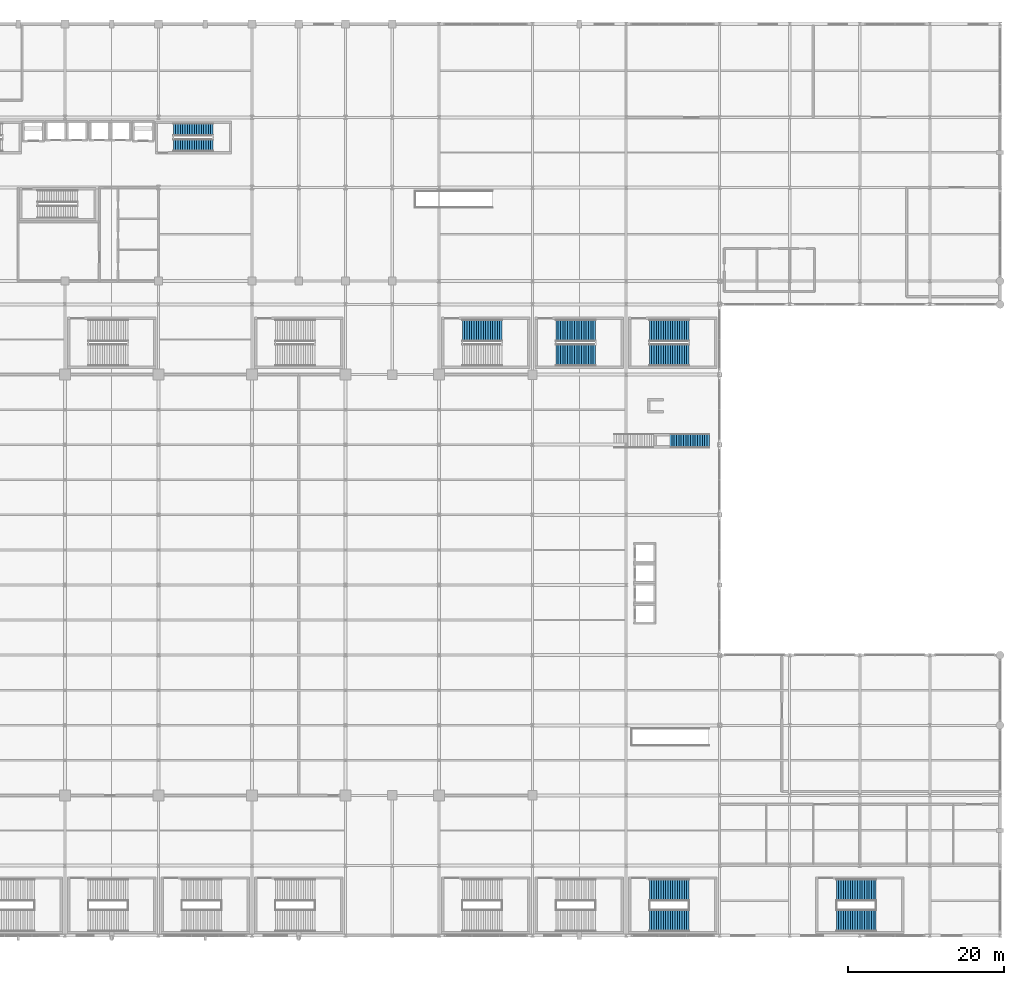
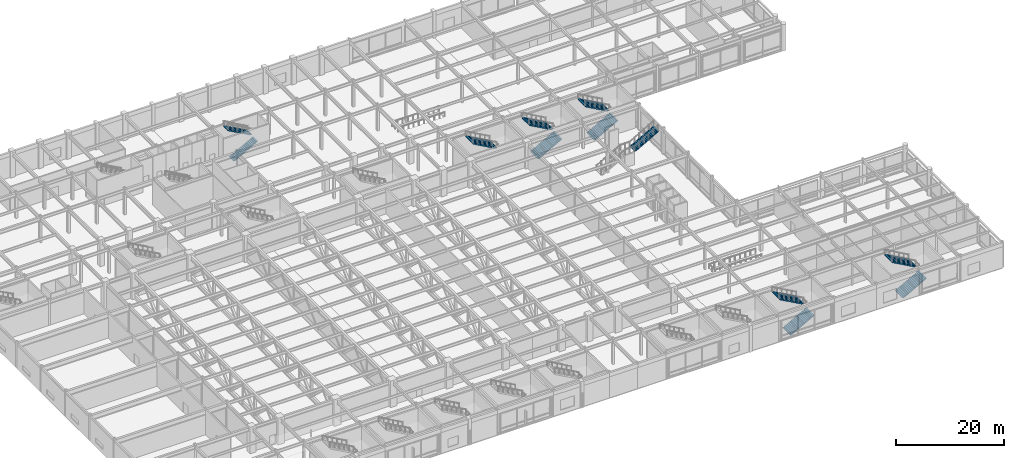
# One storey, part 99 of 108: 12 stair flights, 7 elements without a shape of their own.
"""IFC4 building model written with IfcOpenShell, lengths in metres."""

from ifc_helpers import new_model, si_unit, direction, frame, origin, place, context, subcontext, project, spatial, polyline, outline, extrude, material, type_object, element, aggregate, save


model = new_model("IFC4")

# Units and contexts
model_context = context("Model", 3, precision=1e-05, world=origin(), true_north=direction((0.0, 1.0)))
body_context = subcontext(model_context, "Body", "Model", "MODEL_VIEW")
ifc_project = project(units=[si_unit("LENGTHUNIT", "METRE"), si_unit("AREAUNIT", "SQUARE_METRE"), si_unit("VOLUMEUNIT", "CUBIC_METRE"), si_unit("PLANEANGLEUNIT", "RADIAN"), si_unit("MASSUNIT", "GRAM", prefix="KILO")], contexts=[model_context])

# Site, building, storey
site_placement = place(None, origin())
site = spatial("IfcSite", under=ifc_project, at=site_placement, CompositionType="ELEMENT")
building_placement = place(site_placement, origin())
building = spatial("IfcBuilding", under=site, at=building_placement, Name="Kaldorvane Square Convention Centre", CompositionType="ELEMENT")
storey_placement = place(building_placement, frame((0.0, 0.0, 12.0)))
storey = spatial("IfcBuildingStorey", under=building, at=storey_placement, Name="L02", CompositionType="ELEMENT", Elevation=12.0)

# Stair, stair flight
ifc_material_1 = material(Name="Steel ASTM A500 Gr. C", Category="steel")
stair_type_1 = type_object("IfcStairType", Name="ST-STR-1800-6000", PredefinedType="STRAIGHT_RUN_STAIR", material=ifc_material_1)
stair_1_placement = place(storey_placement, origin())
stair_1 = element("IfcStair", 1, at=stair_1_placement, inside=storey, type_object=stair_type_1, Name="East Foyer Grand Stair F3 (L02)", PredefinedType="STRAIGHT_RUN_STAIR")
stair_flight_type_1 = type_object("IfcStairFlightType", Name="SF-FEAT-1800-18R", PredefinedType="STRAIGHT", material=ifc_material_1)
stair_flight_1_placement = place(storey_placement, frame((131.5800018310547, 63.5, 3.0), z_axis=(0.0, 0.0, 1.0), x_axis=(1.0, 0.0, 0.0)))
stair_flight_1 = element("IfcStairFlight", 2, at=stair_flight_1_placement, type_object=stair_flight_type_1, Name="East Foyer Grand Stair F3 Upper Flight (L02)", NumberOfRisers=18, NumberOfTreads=17, PredefinedType="STRAIGHT", RiserHeight=0.166666667, TreadLength=0.3, context=body_context, shape_type="SweptSolid", body=[
    extrude(outline(polyline([(0.0, 0.0), (0.0, 0.1666717529296875), (0.3000030517578125, 0.1666717529296875), (0.3000030517578125, 0.3333282470703125), (0.600006103515625, 0.3333282470703125), (0.600006103515625, 0.5), (0.899993896484375, 0.5), (0.899993896484375, 0.6666717529296875), (1.1999969482421875, 0.6666717529296875), (1.1999969482421875, 0.8333282470703125), (1.5, 0.8333282470703125), (1.5, 1.0), (1.8000030517578125, 1.0), (1.8000030517578125, 1.1666717529296875), (2.100006103515625, 1.1666717529296875), (2.100006103515625, 1.3333282470703125), (2.399993896484375, 1.3333282470703125), (2.399993896484375, 1.5), (2.6999969482421875, 1.5), (2.6999969482421875, 1.6666717529296875), (3.0, 1.6666717529296875), (3.0, 1.8333282470703125), (3.3000030517578125, 1.8333282470703125), (3.3000030517578125, 2.0), (3.600006103515625, 2.0), (3.600006103515625, 2.1666717529296875), (3.899993896484375, 2.1666717529296875), (3.899993896484375, 2.3333282470703125), (4.1999969482421875, 2.3333282470703125), (4.1999969482421875, 2.5), (4.5, 2.5), (4.5, 2.6666717529296875), (4.8000030517578125, 2.6666717529296875), (4.8000030517578125, 2.8333282470703125), (5.100006103515625, 2.8333282470703125), (5.100006103515625, 3.0), (5.100006103515625, 2.6045379638671875), (0.4118194580078125, 0.0), (0.0, 0.0)])), frame((0.0, 0.899993896484375, 0.0), z_axis=(0.0, -1.0, 0.0), x_axis=(1.0, 0.0, 0.0)), (0.0, 0.0, 1.0), 1.8000030517578125),
])
aggregate(stair_1, [stair_flight_1])

# Stair, stair flights
ifc_material_2 = material(Name="Concrete f'c = 42 MPa (Normalweight)", Category="concrete")
stair_type_2 = type_object("IfcStairType", Name="ST-DL-1600-6000", PredefinedType="HALF_TURN_STAIR", material=ifc_material_2)
stair_2_placement = place(storey_placement, origin())
stair_2 = element("IfcStair", 3, at=stair_2_placement, inside=storey, type_object=stair_type_2, Name="Tower Exit Stair T2 (L02)", PredefinedType="HALF_TURN_STAIR")
stair_flight_type_2 = type_object("IfcStairFlightType", Name="SF-STR-1600-18R", PredefinedType="STRAIGHT", material=ifc_material_2)
stair_flight_2_placement = place(storey_placement, frame((67.89999389648438, 101.41000366210938, 0.0), z_axis=(0.0, 0.0, 1.0), x_axis=(1.0, 0.0, 0.0)))
stair_flight_2 = element("IfcStairFlight", 4, at=stair_flight_2_placement, type_object=stair_flight_type_2, Name="Tower Exit Stair T2 Flight 1 (L02)", NumberOfRisers=18, NumberOfTreads=17, PredefinedType="STRAIGHT", RiserHeight=0.166666667, TreadLength=0.3, context=body_context, shape_type="SweptSolid", body=[
    extrude(outline(polyline([(0.0, 0.0), (0.0, 0.1666717529296875), (0.3000030517578125, 0.1666717529296875), (0.3000030517578125, 0.3333282470703125), (0.600006103515625, 0.3333282470703125), (0.600006103515625, 0.5), (0.899993896484375, 0.5), (0.899993896484375, 0.6666717529296875), (1.1999969482421875, 0.6666717529296875), (1.1999969482421875, 0.8333282470703125), (1.5, 0.8333282470703125), (1.5, 1.0), (1.8000030517578125, 1.0), (1.8000030517578125, 1.1666717529296875), (2.100006103515625, 1.1666717529296875), (2.100006103515625, 1.3333282470703125), (2.399993896484375, 1.3333282470703125), (2.399993896484375, 1.5), (2.6999969482421875, 1.5), (2.6999969482421875, 1.6666717529296875), (3.0, 1.6666717529296875), (3.0, 1.8333282470703125), (3.3000030517578125, 1.8333282470703125), (3.3000030517578125, 2.0), (3.600006103515625, 2.0), (3.600006103515625, 2.1666717529296875), (3.899993896484375, 2.1666717529296875), (3.899993896484375, 2.3333282470703125), (4.1999969482421875, 2.3333282470703125), (4.1999969482421875, 2.5), (4.5, 2.5), (4.5, 2.6666717529296875), (4.8000030517578125, 2.6666717529296875), (4.8000030517578125, 2.8333282470703125), (5.100006103515625, 2.8333282470703125), (5.100006103515625, 3.0), (5.100006103515625, 2.6045379638671875), (0.4118194580078125, 0.0), (0.0, 0.0)])), frame((0.0, 0.8000030517578125, 0.0), z_axis=(0.0, -1.0, 0.0), x_axis=(1.0, 0.0, 0.0)), (0.0, 0.0, 1.0), 1.600006103515625),
])
stair_flight_3_placement = place(storey_placement, frame((73.0, 103.44999694824219, 3.0), z_axis=(0.0, 0.0, 1.0), x_axis=(-1.0, 0.0, 0.0)))
stair_flight_3 = element("IfcStairFlight", 5, at=stair_flight_3_placement, type_object=stair_flight_type_2, Name="Tower Exit Stair T2 Flight 2 (L02)", NumberOfRisers=18, NumberOfTreads=17, PredefinedType="STRAIGHT", RiserHeight=0.166666667, TreadLength=0.3, context=body_context, shape_type="SweptSolid", body=[
    extrude(outline(polyline([(0.0, 0.0), (0.0, 0.1666717529296875), (0.3000030517578125, 0.1666717529296875), (0.3000030517578125, 0.3333282470703125), (0.600006103515625, 0.3333282470703125), (0.600006103515625, 0.5), (0.899993896484375, 0.5), (0.899993896484375, 0.6666717529296875), (1.1999969482421875, 0.6666717529296875), (1.1999969482421875, 0.8333282470703125), (1.5, 0.8333282470703125), (1.5, 1.0), (1.8000030517578125, 1.0), (1.8000030517578125, 1.1666717529296875), (2.100006103515625, 1.1666717529296875), (2.100006103515625, 1.3333282470703125), (2.399993896484375, 1.3333282470703125), (2.399993896484375, 1.5), (2.6999969482421875, 1.5), (2.6999969482421875, 1.6666717529296875), (3.0, 1.6666717529296875), (3.0, 1.8333282470703125), (3.3000030517578125, 1.8333282470703125), (3.3000030517578125, 2.0), (3.600006103515625, 2.0), (3.600006103515625, 2.1666717529296875), (3.899993896484375, 2.1666717529296875), (3.899993896484375, 2.3333282470703125), (4.1999969482421875, 2.3333282470703125), (4.1999969482421875, 2.5), (4.5, 2.5), (4.5, 2.6666717529296875), (4.8000030517578125, 2.6666717529296875), (4.8000030517578125, 2.8333282470703125), (5.100006103515625, 2.8333282470703125), (5.100006103515625, 3.0), (5.100006103515625, 2.6045379638671875), (0.4118194580078125, 0.0), (0.0, 0.0)])), frame((0.0, 0.8000030517578125, 0.0), z_axis=(0.0, -1.0, 0.0), x_axis=(1.0, 0.0, 0.0)), (0.0, 0.0, 1.0), 1.600006103515625),
])
aggregate(stair_2, [stair_flight_2, stair_flight_3])

stair_type_3 = type_object("IfcStairType", Name="ST-DL-2800-6000-D6710", PredefinedType="HALF_TURN_STAIR", material=ifc_material_2)
stair_3_placement = place(storey_placement, origin())
stair_3 = element("IfcStair", 6, at=stair_3_placement, inside=storey, type_object=stair_type_3, Name="Convention Exit Stair C10 (L02)", PredefinedType="HALF_TURN_STAIR")
stair_flight_type_3 = type_object("IfcStairFlightType", Name="SF-STR-2800-18R", PredefinedType="STRAIGHT", material=ifc_material_2)
stair_flight_4_placement = place(storey_placement, frame((128.99000549316406, 1.9499969482421875, 0.0), z_axis=(0.0, 0.0, 1.0), x_axis=(1.0, 0.0, 0.0)))
stair_flight_4 = element("IfcStairFlight", 7, at=stair_flight_4_placement, type_object=stair_flight_type_3, Name="Convention Exit Stair C10 Flight 1 (L02)", NumberOfRisers=18, NumberOfTreads=17, PredefinedType="STRAIGHT", RiserHeight=0.166666667, TreadLength=0.3, context=body_context, shape_type="SweptSolid", body=[
    extrude(outline(polyline([(0.0, 0.0), (0.0, 0.1666717529296875), (0.3000030517578125, 0.1666717529296875), (0.3000030517578125, 0.3333282470703125), (0.600006103515625, 0.3333282470703125), (0.600006103515625, 0.5), (0.899993896484375, 0.5), (0.899993896484375, 0.6666717529296875), (1.1999969482421875, 0.6666717529296875), (1.1999969482421875, 0.8333282470703125), (1.5, 0.8333282470703125), (1.5, 1.0), (1.8000030517578125, 1.0), (1.8000030517578125, 1.1666717529296875), (2.100006103515625, 1.1666717529296875), (2.100006103515625, 1.3333282470703125), (2.399993896484375, 1.3333282470703125), (2.399993896484375, 1.5), (2.6999969482421875, 1.5), (2.6999969482421875, 1.6666717529296875), (3.0, 1.6666717529296875), (3.0, 1.8333282470703125), (3.3000030517578125, 1.8333282470703125), (3.3000030517578125, 2.0), (3.600006103515625, 2.0), (3.600006103515625, 2.1666717529296875), (3.899993896484375, 2.1666717529296875), (3.899993896484375, 2.3333282470703125), (4.1999969482421875, 2.3333282470703125), (4.1999969482421875, 2.5), (4.5, 2.5), (4.5, 2.6666717529296875), (4.8000030517578125, 2.6666717529296875), (4.8000030517578125, 2.8333282470703125), (5.100006103515625, 2.8333282470703125), (5.100006103515625, 3.0), (5.100006103515625, 2.6045379638671875), (0.4118194580078125, 0.0), (0.0, 0.0)])), frame((0.0, 1.399993896484375, 0.0), z_axis=(0.0, -1.0, 0.0), x_axis=(1.0, 0.0, 0.0)), (0.0, 0.0, 1.0), 2.8000030517578125),
])
stair_flight_5_placement = place(storey_placement, frame((134.08999633789062, 5.8600006103515625, 3.0), z_axis=(0.0, 0.0, 1.0), x_axis=(-1.0, 0.0, 0.0)))
stair_flight_5 = element("IfcStairFlight", 8, at=stair_flight_5_placement, type_object=stair_flight_type_3, Name="Convention Exit Stair C10 Flight 2 (L02)", NumberOfRisers=18, NumberOfTreads=17, PredefinedType="STRAIGHT", RiserHeight=0.166666667, TreadLength=0.3, context=body_context, shape_type="SweptSolid", body=[
    extrude(outline(polyline([(0.0, 0.0), (0.0, 0.1666717529296875), (0.3000030517578125, 0.1666717529296875), (0.3000030517578125, 0.3333282470703125), (0.600006103515625, 0.3333282470703125), (0.600006103515625, 0.5), (0.899993896484375, 0.5), (0.899993896484375, 0.6666717529296875), (1.1999969482421875, 0.6666717529296875), (1.1999969482421875, 0.8333282470703125), (1.5, 0.8333282470703125), (1.5, 1.0), (1.8000030517578125, 1.0), (1.8000030517578125, 1.1666717529296875), (2.100006103515625, 1.1666717529296875), (2.100006103515625, 1.3333282470703125), (2.399993896484375, 1.3333282470703125), (2.399993896484375, 1.5), (2.6999969482421875, 1.5), (2.6999969482421875, 1.6666717529296875), (3.0, 1.6666717529296875), (3.0, 1.8333282470703125), (3.3000030517578125, 1.8333282470703125), (3.3000030517578125, 2.0), (3.600006103515625, 2.0), (3.600006103515625, 2.1666717529296875), (3.899993896484375, 2.1666717529296875), (3.899993896484375, 2.3333282470703125), (4.1999969482421875, 2.3333282470703125), (4.1999969482421875, 2.5), (4.5, 2.5), (4.5, 2.6666717529296875), (4.8000030517578125, 2.6666717529296875), (4.8000030517578125, 2.8333282470703125), (5.100006103515625, 2.8333282470703125), (5.100006103515625, 3.0), (5.100006103515625, 2.6045379638671875), (0.4118194580078125, 0.0), (0.0, 0.0)])), frame((0.0, 1.399993896484375, 0.0), z_axis=(0.0, -1.0, 0.0), x_axis=(1.0, 0.0, 0.0)), (0.0, 0.0, 1.0), 2.8000030517578125),
])
aggregate(stair_3, [stair_flight_4, stair_flight_5])

stair_4_placement = place(storey_placement, origin())
stair_4 = element("IfcStair", 9, at=stair_4_placement, inside=storey, type_object=stair_type_3, Name="Convention Exit Stair C11 (L02)", PredefinedType="HALF_TURN_STAIR")
stair_flight_6_placement = place(storey_placement, frame((152.99000549316406, 1.9499969482421875, 0.0), z_axis=(0.0, 0.0, 1.0), x_axis=(1.0, 0.0, 0.0)))
stair_flight_6 = element("IfcStairFlight", 10, at=stair_flight_6_placement, type_object=stair_flight_type_3, Name="Convention Exit Stair C11 Flight 1 (L02)", NumberOfRisers=18, NumberOfTreads=17, PredefinedType="STRAIGHT", RiserHeight=0.166666667, TreadLength=0.3, context=body_context, shape_type="SweptSolid", body=[
    extrude(outline(polyline([(0.0, 0.0), (0.0, 0.1666717529296875), (0.3000030517578125, 0.1666717529296875), (0.3000030517578125, 0.3333282470703125), (0.600006103515625, 0.3333282470703125), (0.600006103515625, 0.5), (0.899993896484375, 0.5), (0.899993896484375, 0.6666717529296875), (1.1999969482421875, 0.6666717529296875), (1.1999969482421875, 0.8333282470703125), (1.5, 0.8333282470703125), (1.5, 1.0), (1.8000030517578125, 1.0), (1.8000030517578125, 1.1666717529296875), (2.100006103515625, 1.1666717529296875), (2.100006103515625, 1.3333282470703125), (2.399993896484375, 1.3333282470703125), (2.399993896484375, 1.5), (2.6999969482421875, 1.5), (2.6999969482421875, 1.6666717529296875), (3.0, 1.6666717529296875), (3.0, 1.8333282470703125), (3.3000030517578125, 1.8333282470703125), (3.3000030517578125, 2.0), (3.600006103515625, 2.0), (3.600006103515625, 2.1666717529296875), (3.899993896484375, 2.1666717529296875), (3.899993896484375, 2.3333282470703125), (4.1999969482421875, 2.3333282470703125), (4.1999969482421875, 2.5), (4.5, 2.5), (4.5, 2.6666717529296875), (4.8000030517578125, 2.6666717529296875), (4.8000030517578125, 2.8333282470703125), (5.100006103515625, 2.8333282470703125), (5.100006103515625, 3.0), (5.100006103515625, 2.6045379638671875), (0.4118194580078125, 0.0), (0.0, 0.0)])), frame((0.0, 1.399993896484375, 0.0), z_axis=(0.0, -1.0, 0.0), x_axis=(1.0, 0.0, 0.0)), (0.0, 0.0, 1.0), 2.8000030517578125),
])
stair_flight_7_placement = place(storey_placement, frame((158.08999633789062, 5.8600006103515625, 3.0), z_axis=(0.0, 0.0, 1.0), x_axis=(-1.0, 0.0, 0.0)))
stair_flight_7 = element("IfcStairFlight", 11, at=stair_flight_7_placement, type_object=stair_flight_type_3, Name="Convention Exit Stair C11 Flight 2 (L02)", NumberOfRisers=18, NumberOfTreads=17, PredefinedType="STRAIGHT", RiserHeight=0.166666667, TreadLength=0.3, context=body_context, shape_type="SweptSolid", body=[
    extrude(outline(polyline([(0.0, 0.0), (0.0, 0.1666717529296875), (0.3000030517578125, 0.1666717529296875), (0.3000030517578125, 0.3333282470703125), (0.600006103515625, 0.3333282470703125), (0.600006103515625, 0.5), (0.899993896484375, 0.5), (0.899993896484375, 0.6666717529296875), (1.1999969482421875, 0.6666717529296875), (1.1999969482421875, 0.8333282470703125), (1.5, 0.8333282470703125), (1.5, 1.0), (1.8000030517578125, 1.0), (1.8000030517578125, 1.1666717529296875), (2.100006103515625, 1.1666717529296875), (2.100006103515625, 1.3333282470703125), (2.399993896484375, 1.3333282470703125), (2.399993896484375, 1.5), (2.6999969482421875, 1.5), (2.6999969482421875, 1.6666717529296875), (3.0, 1.6666717529296875), (3.0, 1.8333282470703125), (3.3000030517578125, 1.8333282470703125), (3.3000030517578125, 2.0), (3.600006103515625, 2.0), (3.600006103515625, 2.1666717529296875), (3.899993896484375, 2.1666717529296875), (3.899993896484375, 2.3333282470703125), (4.1999969482421875, 2.3333282470703125), (4.1999969482421875, 2.5), (4.5, 2.5), (4.5, 2.6666717529296875), (4.8000030517578125, 2.6666717529296875), (4.8000030517578125, 2.8333282470703125), (5.100006103515625, 2.8333282470703125), (5.100006103515625, 3.0), (5.100006103515625, 2.6045379638671875), (0.4118194580078125, 0.0), (0.0, 0.0)])), frame((0.0, 1.399993896484375, 0.0), z_axis=(0.0, -1.0, 0.0), x_axis=(1.0, 0.0, 0.0)), (0.0, 0.0, 1.0), 2.8000030517578125),
])
aggregate(stair_4, [stair_flight_6, stair_flight_7])

# Stair, stair flight
stair_type_4 = type_object("IfcStairType", Name="ST-DL-2800-6000", PredefinedType="HALF_TURN_STAIR", material=ifc_material_2)
stair_5_placement = place(storey_placement, origin())
stair_5 = element("IfcStair", 12, at=stair_5_placement, inside=storey, type_object=stair_type_4, Name="Convention Exit Stair C16 (L02)", PredefinedType="HALF_TURN_STAIR")
stair_flight_8_placement = place(storey_placement, frame((110.08999633789062, 77.66000366210938, 3.0), z_axis=(0.0, 0.0, 1.0), x_axis=(-1.0, 0.0, 0.0)))
stair_flight_8 = element("IfcStairFlight", 13, at=stair_flight_8_placement, type_object=stair_flight_type_3, Name="Convention Exit Stair C16 Flight 2 (L02)", NumberOfRisers=18, NumberOfTreads=17, PredefinedType="STRAIGHT", RiserHeight=0.166666667, TreadLength=0.3, context=body_context, shape_type="SweptSolid", body=[
    extrude(outline(polyline([(0.0, 0.0), (0.0, 0.1666717529296875), (0.3000030517578125, 0.1666717529296875), (0.3000030517578125, 0.3333282470703125), (0.600006103515625, 0.3333282470703125), (0.600006103515625, 0.5), (0.899993896484375, 0.5), (0.899993896484375, 0.6666717529296875), (1.1999969482421875, 0.6666717529296875), (1.1999969482421875, 0.8333282470703125), (1.5, 0.8333282470703125), (1.5, 1.0), (1.8000030517578125, 1.0), (1.8000030517578125, 1.1666717529296875), (2.100006103515625, 1.1666717529296875), (2.100006103515625, 1.3333282470703125), (2.399993896484375, 1.3333282470703125), (2.399993896484375, 1.5), (2.6999969482421875, 1.5), (2.6999969482421875, 1.6666717529296875), (3.0, 1.6666717529296875), (3.0, 1.8333282470703125), (3.3000030517578125, 1.8333282470703125), (3.3000030517578125, 2.0), (3.600006103515625, 2.0), (3.600006103515625, 2.1666717529296875), (3.899993896484375, 2.1666717529296875), (3.899993896484375, 2.3333282470703125), (4.1999969482421875, 2.3333282470703125), (4.1999969482421875, 2.5), (4.5, 2.5), (4.5, 2.6666717529296875), (4.8000030517578125, 2.6666717529296875), (4.8000030517578125, 2.8333282470703125), (5.100006103515625, 2.8333282470703125), (5.100006103515625, 3.0), (5.100006103515625, 2.6045379638671875), (0.4118194580078125, 0.0), (0.0, 0.0)])), frame((0.0, 1.399993896484375, 0.0), z_axis=(0.0, -1.0, 0.0), x_axis=(1.0, 0.0, 0.0)), (0.0, 0.0, 1.0), 2.8000030517578125),
])
aggregate(stair_5, [stair_flight_8])

# Stair, stair flights
stair_6_placement = place(storey_placement, origin())
stair_6 = element("IfcStair", 14, at=stair_6_placement, inside=storey, type_object=stair_type_4, Name="Convention Exit Stair C17 (L02)", PredefinedType="HALF_TURN_STAIR")
stair_flight_9_placement = place(storey_placement, frame((116.99000549316406, 74.5, 0.0), z_axis=(0.0, 0.0, 1.0), x_axis=(1.0, 0.0, 0.0)))
stair_flight_9 = element("IfcStairFlight", 15, at=stair_flight_9_placement, type_object=stair_flight_type_3, Name="Convention Exit Stair C17 Flight 1 (L02)", NumberOfRisers=18, NumberOfTreads=17, PredefinedType="STRAIGHT", RiserHeight=0.166666667, TreadLength=0.3, context=body_context, shape_type="SweptSolid", body=[
    extrude(outline(polyline([(0.0, 0.0), (0.0, 0.1666717529296875), (0.3000030517578125, 0.1666717529296875), (0.3000030517578125, 0.3333282470703125), (0.600006103515625, 0.3333282470703125), (0.600006103515625, 0.5), (0.899993896484375, 0.5), (0.899993896484375, 0.6666717529296875), (1.1999969482421875, 0.6666717529296875), (1.1999969482421875, 0.8333282470703125), (1.5, 0.8333282470703125), (1.5, 1.0), (1.8000030517578125, 1.0), (1.8000030517578125, 1.1666717529296875), (2.100006103515625, 1.1666717529296875), (2.100006103515625, 1.3333282470703125), (2.399993896484375, 1.3333282470703125), (2.399993896484375, 1.5), (2.6999969482421875, 1.5), (2.6999969482421875, 1.6666717529296875), (3.0, 1.6666717529296875), (3.0, 1.8333282470703125), (3.3000030517578125, 1.8333282470703125), (3.3000030517578125, 2.0), (3.600006103515625, 2.0), (3.600006103515625, 2.1666717529296875), (3.899993896484375, 2.1666717529296875), (3.899993896484375, 2.3333282470703125), (4.1999969482421875, 2.3333282470703125), (4.1999969482421875, 2.5), (4.5, 2.5), (4.5, 2.6666717529296875), (4.8000030517578125, 2.6666717529296875), (4.8000030517578125, 2.8333282470703125), (5.100006103515625, 2.8333282470703125), (5.100006103515625, 3.0), (5.100006103515625, 2.6045379638671875), (0.4118194580078125, 0.0), (0.0, 0.0)])), frame((0.0, 1.399993896484375, 0.0), z_axis=(0.0, -1.0, 0.0), x_axis=(1.0, 0.0, 0.0)), (0.0, 0.0, 1.0), 2.8000030517578125),
])
stair_flight_10_placement = place(storey_placement, frame((122.08999633789062, 77.66000366210938, 3.0), z_axis=(0.0, 0.0, 1.0), x_axis=(-1.0, 0.0, 0.0)))
stair_flight_10 = element("IfcStairFlight", 16, at=stair_flight_10_placement, type_object=stair_flight_type_3, Name="Convention Exit Stair C17 Flight 2 (L02)", NumberOfRisers=18, NumberOfTreads=17, PredefinedType="STRAIGHT", RiserHeight=0.166666667, TreadLength=0.3, context=body_context, shape_type="SweptSolid", body=[
    extrude(outline(polyline([(0.0, 0.0), (0.0, 0.1666717529296875), (0.3000030517578125, 0.1666717529296875), (0.3000030517578125, 0.3333282470703125), (0.600006103515625, 0.3333282470703125), (0.600006103515625, 0.5), (0.899993896484375, 0.5), (0.899993896484375, 0.6666717529296875), (1.1999969482421875, 0.6666717529296875), (1.1999969482421875, 0.8333282470703125), (1.5, 0.8333282470703125), (1.5, 1.0), (1.8000030517578125, 1.0), (1.8000030517578125, 1.1666717529296875), (2.100006103515625, 1.1666717529296875), (2.100006103515625, 1.3333282470703125), (2.399993896484375, 1.3333282470703125), (2.399993896484375, 1.5), (2.6999969482421875, 1.5), (2.6999969482421875, 1.6666717529296875), (3.0, 1.6666717529296875), (3.0, 1.8333282470703125), (3.3000030517578125, 1.8333282470703125), (3.3000030517578125, 2.0), (3.600006103515625, 2.0), (3.600006103515625, 2.1666717529296875), (3.899993896484375, 2.1666717529296875), (3.899993896484375, 2.3333282470703125), (4.1999969482421875, 2.3333282470703125), (4.1999969482421875, 2.5), (4.5, 2.5), (4.5, 2.6666717529296875), (4.8000030517578125, 2.6666717529296875), (4.8000030517578125, 2.8333282470703125), (5.100006103515625, 2.8333282470703125), (5.100006103515625, 3.0), (5.100006103515625, 2.6045379638671875), (0.4118194580078125, 0.0), (0.0, 0.0)])), frame((0.0, 1.399993896484375, 0.0), z_axis=(0.0, -1.0, 0.0), x_axis=(1.0, 0.0, 0.0)), (0.0, 0.0, 1.0), 2.8000030517578125),
])
aggregate(stair_6, [stair_flight_9, stair_flight_10])

stair_7_placement = place(storey_placement, origin())
stair_7 = element("IfcStair", 17, at=stair_7_placement, inside=storey, type_object=stair_type_4, Name="Convention Exit Stair C18 (L02)", PredefinedType="HALF_TURN_STAIR")
stair_flight_11_placement = place(storey_placement, frame((128.99000549316406, 74.5, 0.0), z_axis=(0.0, 0.0, 1.0), x_axis=(1.0, 0.0, 0.0)))
stair_flight_11 = element("IfcStairFlight", 18, at=stair_flight_11_placement, type_object=stair_flight_type_3, Name="Convention Exit Stair C18 Flight 1 (L02)", NumberOfRisers=18, NumberOfTreads=17, PredefinedType="STRAIGHT", RiserHeight=0.166666667, TreadLength=0.3, context=body_context, shape_type="SweptSolid", body=[
    extrude(outline(polyline([(0.0, 0.0), (0.0, 0.1666717529296875), (0.3000030517578125, 0.1666717529296875), (0.3000030517578125, 0.3333282470703125), (0.600006103515625, 0.3333282470703125), (0.600006103515625, 0.5), (0.899993896484375, 0.5), (0.899993896484375, 0.6666717529296875), (1.1999969482421875, 0.6666717529296875), (1.1999969482421875, 0.8333282470703125), (1.5, 0.8333282470703125), (1.5, 1.0), (1.8000030517578125, 1.0), (1.8000030517578125, 1.1666717529296875), (2.100006103515625, 1.1666717529296875), (2.100006103515625, 1.3333282470703125), (2.399993896484375, 1.3333282470703125), (2.399993896484375, 1.5), (2.6999969482421875, 1.5), (2.6999969482421875, 1.6666717529296875), (3.0, 1.6666717529296875), (3.0, 1.8333282470703125), (3.3000030517578125, 1.8333282470703125), (3.3000030517578125, 2.0), (3.600006103515625, 2.0), (3.600006103515625, 2.1666717529296875), (3.899993896484375, 2.1666717529296875), (3.899993896484375, 2.3333282470703125), (4.1999969482421875, 2.3333282470703125), (4.1999969482421875, 2.5), (4.5, 2.5), (4.5, 2.6666717529296875), (4.8000030517578125, 2.6666717529296875), (4.8000030517578125, 2.8333282470703125), (5.100006103515625, 2.8333282470703125), (5.100006103515625, 3.0), (5.100006103515625, 2.6045379638671875), (0.4118194580078125, 0.0), (0.0, 0.0)])), frame((0.0, 1.399993896484375, 0.0), z_axis=(0.0, -1.0, 0.0), x_axis=(1.0, 0.0, 0.0)), (0.0, 0.0, 1.0), 2.8000030517578125),
])
stair_flight_12_placement = place(storey_placement, frame((134.08999633789062, 77.66000366210938, 3.0), z_axis=(0.0, 0.0, 1.0), x_axis=(-1.0, 0.0, 0.0)))
stair_flight_12 = element("IfcStairFlight", 19, at=stair_flight_12_placement, type_object=stair_flight_type_3, Name="Convention Exit Stair C18 Flight 2 (L02)", NumberOfRisers=18, NumberOfTreads=17, PredefinedType="STRAIGHT", RiserHeight=0.166666667, TreadLength=0.3, context=body_context, shape_type="SweptSolid", body=[
    extrude(outline(polyline([(0.0, 0.0), (0.0, 0.1666717529296875), (0.3000030517578125, 0.1666717529296875), (0.3000030517578125, 0.3333282470703125), (0.600006103515625, 0.3333282470703125), (0.600006103515625, 0.5), (0.899993896484375, 0.5), (0.899993896484375, 0.6666717529296875), (1.1999969482421875, 0.6666717529296875), (1.1999969482421875, 0.8333282470703125), (1.5, 0.8333282470703125), (1.5, 1.0), (1.8000030517578125, 1.0), (1.8000030517578125, 1.1666717529296875), (2.100006103515625, 1.1666717529296875), (2.100006103515625, 1.3333282470703125), (2.399993896484375, 1.3333282470703125), (2.399993896484375, 1.5), (2.6999969482421875, 1.5), (2.6999969482421875, 1.6666717529296875), (3.0, 1.6666717529296875), (3.0, 1.8333282470703125), (3.3000030517578125, 1.8333282470703125), (3.3000030517578125, 2.0), (3.600006103515625, 2.0), (3.600006103515625, 2.1666717529296875), (3.899993896484375, 2.1666717529296875), (3.899993896484375, 2.3333282470703125), (4.1999969482421875, 2.3333282470703125), (4.1999969482421875, 2.5), (4.5, 2.5), (4.5, 2.6666717529296875), (4.8000030517578125, 2.6666717529296875), (4.8000030517578125, 2.8333282470703125), (5.100006103515625, 2.8333282470703125), (5.100006103515625, 3.0), (5.100006103515625, 2.6045379638671875), (0.4118194580078125, 0.0), (0.0, 0.0)])), frame((0.0, 1.399993896484375, 0.0), z_axis=(0.0, -1.0, 0.0), x_axis=(1.0, 0.0, 0.0)), (0.0, 0.0, 1.0), 2.8000030517578125),
])
aggregate(stair_7, [stair_flight_11, stair_flight_12])

save(model, "model.ifc")
